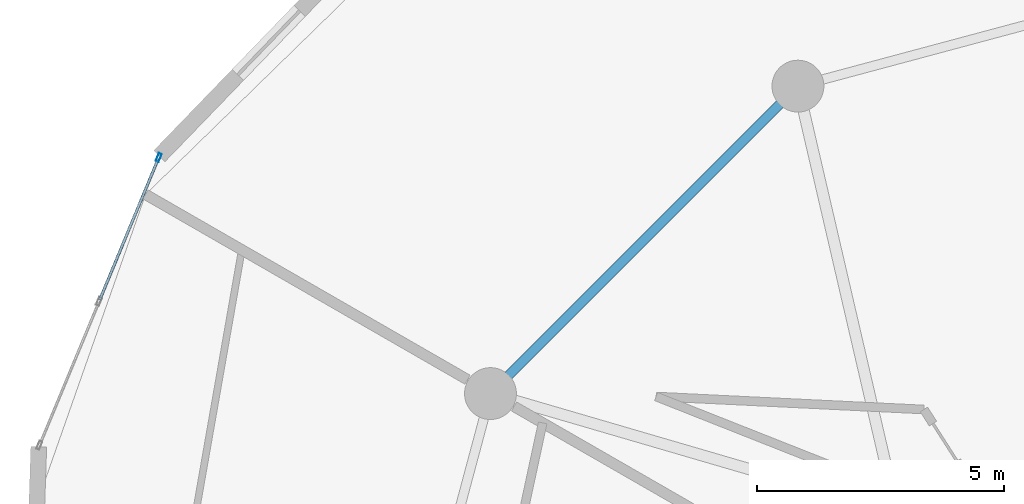
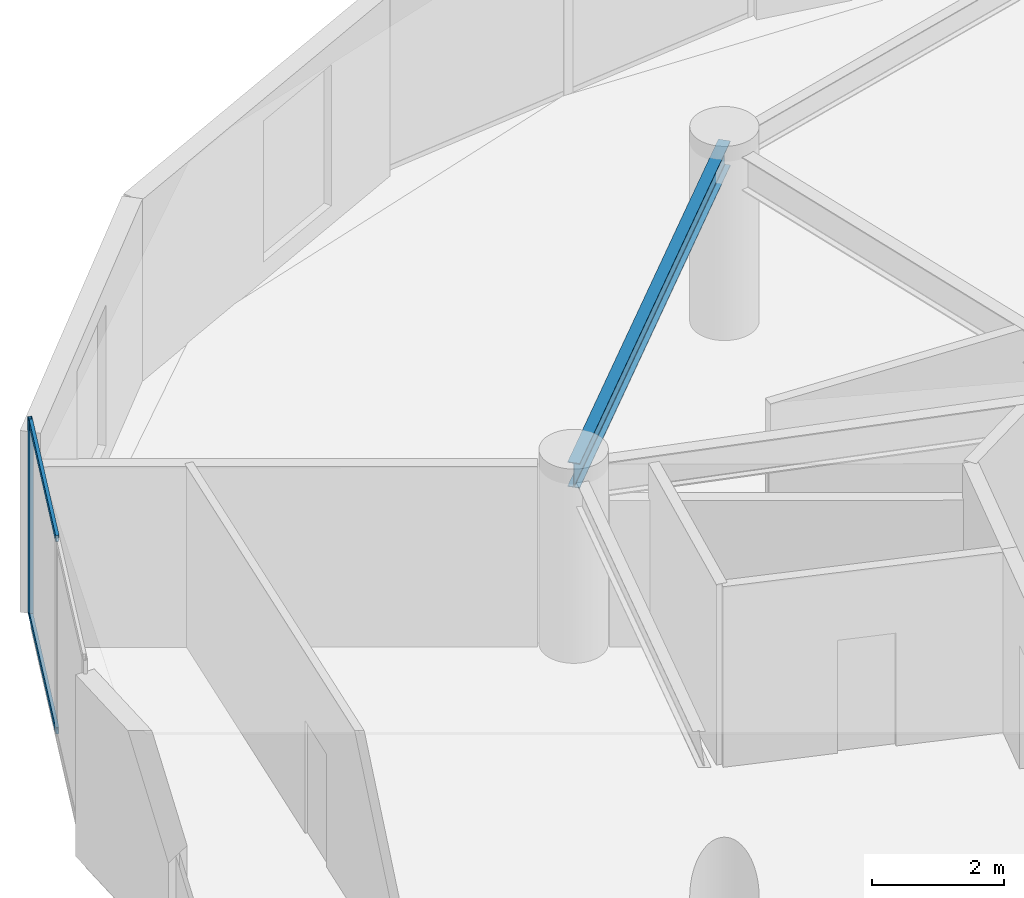
# One storey, part 15 of 26: 3 members, 1 beam, 1 element without a shape of its own.
"""IFC4 building model written with IfcOpenShell, lengths in metres."""

from ifc_helpers import new_model, si_unit, direction, frame, origin, origin_2d, place, context, subcontext, project, spatial, hollow_rectangle, i_section, extrude, source, transform, mapped, material, layer, layer_set, material_profile, profile_set, type_object, element, aggregate, save


model = new_model("IFC4")

# Units and contexts
model_context = context("Model", 3, precision=1e-05, world=origin(), true_north=direction((0.0, 1.0)))
body_context = subcontext(model_context, "Body", "Model", "MODEL_VIEW")
ifc_project = project(units=[si_unit("LENGTHUNIT", "METRE"), si_unit("AREAUNIT", "SQUARE_METRE"), si_unit("VOLUMEUNIT", "CUBIC_METRE"), si_unit("PLANEANGLEUNIT", "RADIAN"), si_unit("MASSUNIT", "GRAM", prefix="KILO")], contexts=[model_context])

# Site, building, storey
site_placement = place(None, origin())
site = spatial("IfcSite", under=ifc_project, at=site_placement, CompositionType="ELEMENT")
building_placement = place(site_placement, origin())
building = spatial("IfcBuilding", under=site, at=building_placement, Name="Solvirekh Grand Hotel", CompositionType="ELEMENT")
storey_placement = place(building_placement, frame((0.0, 0.0, 113.39990234375)))
storey = spatial("IfcBuildingStorey", under=building, at=storey_placement, Name="L28", CompositionType="ELEMENT", Elevation=113.39990234375)

# Beam
ifc_material_1 = material(Name="Steel S355", Category="steel")
ifc_material_profile_1 = material_profile(ifc_material_1, i_section(OverallWidth=0.18994140625, OverallDepth=0.45703125, WebThickness=0.009033203125, FlangeThickness=0.013916015625, FilletRadius=0.012939453125, at=origin_2d()), Name="W460X74")
ifc_profile_set_1 = profile_set([ifc_material_profile_1], Name="Steel S355")
beam_type = type_object("IfcBeamType", Name="Spandrel_Ring_W460", PredefinedType="SPANDREL", material=ifc_profile_set_1)
beam_placement = place(storey_placement, frame((-8.5, 14.721923828125, 3.1220703125), z_axis=(-0.707106781187, -0.707106781187, 0.0), x_axis=(0.707106781187, -0.707106781187, 0.0)))
element("IfcBeam", 1, at=beam_placement, inside=storey, type_object=beam_type, Name="L28 perimeter spandrel beam 5", PredefinedType="SPANDREL", context=body_context, shape_type="SweptSolid", body=[
    extrude(i_section(OverallWidth=0.18994140625, OverallDepth=0.45703125, WebThickness=0.009033203125, FlangeThickness=0.013916015625, FilletRadius=0.012939453125, at=origin_2d()), origin(), (0.0, 0.0, 1.0), 8.799072265625),
])

# Curtain wall, members
ifc_material_2 = material(Name="Anodized Bronze Aluminium 6063-T6", Category="aluminium")
ifc_layer = layer(ifc_material_2, 0.175048828125)
ifc_layer_set = layer_set([ifc_layer], Name="Anodized Bronze Aluminium 6063-T6")
curtain_wall_type = type_object("IfcCurtainWallType", Name="CW_Sys3_MidZoneFlushBronzeCW", PredefinedType="NOTDEFINED", material=ifc_layer_set)
curtain_wall_placement = place(storey_placement, origin())
curtain_wall = element("IfcCurtainWall", 2, at=curtain_wall_placement, inside=storey, type_object=curtain_wall_type, Name="L28 unitised bronze-glass curtain wall CW-L28-C11", PredefinedType="NOTDEFINED")
ifc_material_profile_2 = material_profile(ifc_material_2, hollow_rectangle(XDim=0.054931640625, YDim=0.1201171875, WallThickness=0.00390625, at=origin_2d()), Name="ALU RHS 120X55X4")
ifc_profile_set_2 = profile_set([ifc_material_profile_2], Name="Anodized Bronze Aluminium 6063-T6")
member_type_1 = type_object("IfcMemberType", Name="CWTransom_Sys3", PredefinedType="USERDEFINED", material=ifc_profile_set_2)
shared_shape_1 = source(origin(), body_context, "Body", "SweptSolid", [
    extrude(hollow_rectangle(XDim=0.054931640625, YDim=0.1201171875, WallThickness=0.00390625, at=origin_2d()), origin(), (0.0, 0.0, 1.0), 3.087158203125),
])
member_1_placement = place(storey_placement, frame((-21.447998046875, 13.2470703125, 0.027587890625), z_axis=(-0.383222387686, -0.923656105689, 0.0), x_axis=(0.923656105689, -0.383222387686, 0.0)))
member_1 = element("IfcMember", 3, at=member_1_placement, type_object=member_type_1, Name="U03 transom 1.1", ObjectType="TRANSOM", PredefinedType="USERDEFINED", context=body_context, shape_type="MappedRepresentation", body=[
    mapped(shared_shape_1, transform((0.0, 0.0, 0.0), x_axis=(1.0, 0.0, 0.0), y_axis=(0.0, 1.0, 0.0), z_axis=(0.0, 0.0, 1.0), scale=1.0)),
])
member_2_placement = place(storey_placement, frame((-21.447998046875, 13.2470703125, 3.572509765625), z_axis=(-0.383222387686, -0.923656105689, 0.0), x_axis=(0.923656105689, -0.383222387686, 0.0)))
member_2 = element("IfcMember", 4, at=member_2_placement, type_object=member_type_1, Name="U03 transom 1.2", ObjectType="TRANSOM", PredefinedType="USERDEFINED", context=body_context, shape_type="MappedRepresentation", body=[
    mapped(shared_shape_1, transform((0.0, 0.0, 0.0), x_axis=(1.0, 0.0, 0.0), y_axis=(0.0, 1.0, 0.0), z_axis=(0.0, 0.0, 1.0), scale=1.0)),
])
ifc_material_profile_3 = material_profile(ifc_material_2, hollow_rectangle(XDim=0.06494140625, YDim=0.175048828125, WallThickness=0.0048828125, at=origin_2d()), Name="ALU RHS 175X65X5")
ifc_profile_set_3 = profile_set([ifc_material_profile_3], Name="Anodized Bronze Aluminium 6063-T6")
member_type_2 = type_object("IfcMemberType", Name="CWMullion_Sys3", PredefinedType="MULLION", material=ifc_profile_set_3)
shared_shape_2 = source(origin(), body_context, "Body", "SweptSolid", [
    extrude(hollow_rectangle(XDim=0.06494140625, YDim=0.175048828125, WallThickness=0.0048828125, at=origin_2d()), origin(), (0.0, 0.0, 1.0), 3.60009765625),
])
member_3_placement = place(storey_placement, frame((-21.435546875, 13.277099609375, 0.0), z_axis=(0.0, 0.0, 1.0), x_axis=(0.923647246021, -0.383243740872, 0.0)))
member_3 = element("IfcMember", 5, at=member_3_placement, type_object=member_type_2, Name="U03 mullion 1", PredefinedType="MULLION", context=body_context, shape_type="MappedRepresentation", body=[
    mapped(shared_shape_2, transform((0.0, 0.0, 0.0), x_axis=(1.0, 0.0, 0.0), y_axis=(0.0, 1.0, 0.0), z_axis=(0.0, 0.0, 1.0), scale=1.0)),
])
aggregate(curtain_wall, [member_3, member_1, member_2])

save(model, "model.ifc")
